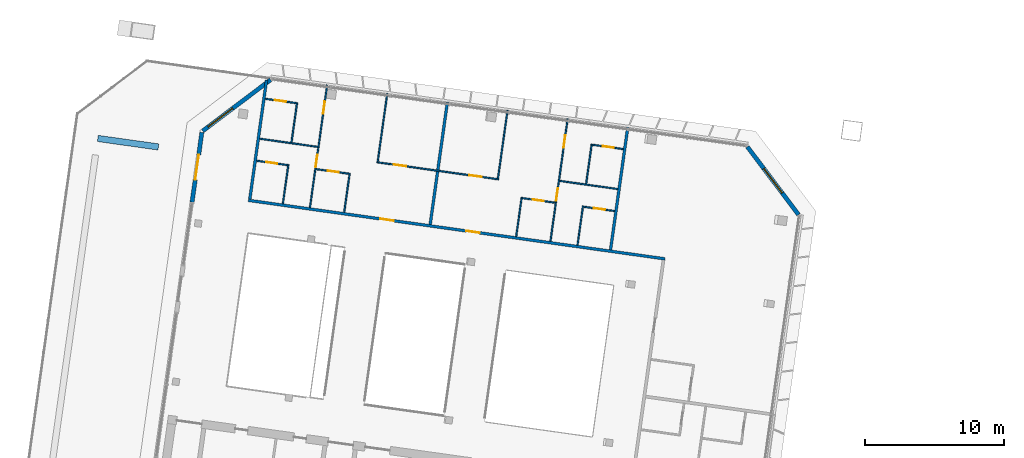
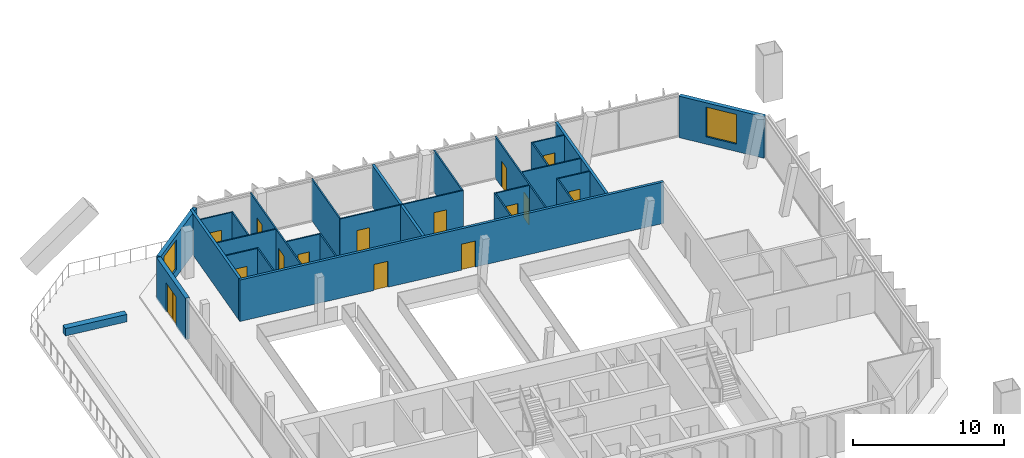
# One storey, part 12 of 19: 27 walls, 15 doors, 2 windows, 17 openings.
"""IFC4 building model written with IfcOpenShell, lengths in metres."""

from ifc_helpers import new_model, si_unit, direction, frame, frame_2d, origin, place, context, subcontext, project, spatial, rectangle, extrude, material, layer, layer_set, type_object, element, fill, save


model = new_model("IFC4")

# Units and contexts
model_context = context("Model", 3, precision=1e-05, world=origin(), true_north=direction((0.0, 1.0)))
body_context = subcontext(model_context, "Body", "Model", "MODEL_VIEW")
ifc_project = project(units=[si_unit("LENGTHUNIT", "METRE"), si_unit("AREAUNIT", "SQUARE_METRE"), si_unit("VOLUMEUNIT", "CUBIC_METRE"), si_unit("PLANEANGLEUNIT", "RADIAN"), si_unit("MASSUNIT", "GRAM", prefix="KILO")], contexts=[model_context])

# Site, building, storey
site_placement = place(None, origin())
site = spatial("IfcSite", under=ifc_project, at=site_placement, CompositionType="ELEMENT")
building_placement = place(site_placement, origin())
building = spatial("IfcBuilding", under=site, at=building_placement, Name="Mirante Cascada Hotel Towers", CompositionType="ELEMENT")
storey_placement = place(building_placement, frame((0.0, 0.0, 231.8)))
storey = spatial("IfcBuildingStorey", under=building, at=storey_placement, Name="L55", CompositionType="ELEMENT", Elevation=231.8)

# Wall, openings, doors
ifc_material_1 = material(Name="Fire-rated plasterboard on metal studs")
ifc_layer_1 = layer(ifc_material_1, 0.2)
ifc_layer_set_1 = layer_set([ifc_layer_1], Name="Compartment wall 200 EI 120")
wall_type_1 = type_object("IfcWallType", Name="Compartment wall 200 EI 120", PredefinedType="PARTITIONING", material=ifc_layer_set_1)
wall_1_placement = place(storey_placement, frame((-30.1927, 8.1254, 0.0), z_axis=(0.0, 0.0, 1.0), x_axis=(-0.9902681, 0.1391731, 0.0)))
wall_1 = element("IfcWall", 1, at=wall_1_placement, inside=storey, type_object=wall_type_1, Name="Wall 1-L55-08", PredefinedType="PARTITIONING", context=body_context, shape_type="SweptSolid", body=[
    extrude(rectangle(XDim=30.2681, YDim=0.2, at=frame_2d((15.134, 0.0))), origin(), (0.0, 0.0, 1.0), 3.35),
])
opening_1_placement = place(wall_1_placement, frame((13.4479, 0.0, 0.0)))
opening_1 = element("IfcOpeningElement", 2, at=opening_1_placement, cuts=wall_1, Name="Opening D1-L55-04", PredefinedType="OPENING", context=body_context, shape_type="SweptSolid", body=[
    extrude(rectangle(XDim=1.0, YDim=2.1, at=frame_2d((0.5, 1.05))), frame((0.0, 0.1, 0.0), z_axis=(0.0, -1.0, 0.0), x_axis=(1.0, 0.0, 0.0)), (0.0, 0.0, 1.0), 0.2),
])
opening_2_placement = place(wall_1_placement, frame((19.6925, 0.0, 0.0)))
opening_2 = element("IfcOpeningElement", 3, at=opening_2_placement, cuts=wall_1, Name="Opening D1-L55-05", PredefinedType="OPENING", context=body_context, shape_type="SweptSolid", body=[
    extrude(rectangle(XDim=1.0, YDim=2.1, at=frame_2d((0.5, 1.05))), frame((0.0, 0.1, 0.0), z_axis=(0.0, -1.0, 0.0), x_axis=(1.0, 0.0, 0.0)), (0.0, 0.0, 1.0), 0.2),
])
ifc_material_2 = material(Name="Fire-rated timber door leaf", Category="wood")
door_type_1 = type_object("IfcDoorType", Name="Entrance door DG1 1000x2100 EI 60", OperationType="SINGLE_SWING_LEFT", PredefinedType="DOOR", material=ifc_material_2)
door_1_placement = place(opening_1_placement, frame((1.0, 0.0, 0.0), z_axis=(0.0, 0.0, 1.0), x_axis=(-1.0, 0.0, 0.0)))
door_1 = element("IfcDoor", 4, at=door_1_placement, inside=storey, type_object=door_type_1, Name="Door D1-L55-04", OperationType="SINGLE_SWING_RIGHT", OverallHeight=2.1, OverallWidth=1.0, PredefinedType="DOOR", context=body_context, shape_type="SweptSolid", body=[
    extrude(rectangle(XDim=1.0, YDim=2.1, at=frame_2d((0.5, 1.05))), frame((0.0, 0.025, 0.0), z_axis=(0.0, -1.0, 0.0), x_axis=(1.0, 0.0, 0.0)), (0.0, 0.0, 1.0), 0.05),
])
fill(opening_1, door_1)
door_2_placement = place(opening_2_placement, frame((1.0, 0.0, 0.0), z_axis=(0.0, 0.0, 1.0), x_axis=(-1.0, 0.0, 0.0)))
door_2 = element("IfcDoor", 5, at=door_2_placement, inside=storey, type_object=door_type_1, Name="Door D1-L55-05", OperationType="SINGLE_SWING_RIGHT", OverallHeight=2.1, OverallWidth=1.0, PredefinedType="DOOR", context=body_context, shape_type="SweptSolid", body=[
    extrude(rectangle(XDim=1.0, YDim=2.1, at=frame_2d((0.5, 1.05))), frame((0.0, 0.025, 0.0), z_axis=(0.0, -1.0, 0.0), x_axis=(1.0, 0.0, 0.0)), (0.0, 0.0, 1.0), 0.05),
])
fill(opening_2, door_2)

# Walls
for number, where, z_axis, x_axis, name in (
    (6, (-34.1124, 8.7772, 0.0), (0.0, 0.0, 1.0), (0.1391684, 0.9902687, 0.0), "Wall 1-L55-24"),
    (7, (-47.0829, 10.6001, 0.0), (0.0, 0.0, 1.0), (0.1391794, 0.9902672, 0.0), "Wall 1-L55-30"),
):
    element("IfcWall", number, at=place(storey_placement, frame(where, z_axis=z_axis, x_axis=x_axis)), inside=storey, type_object=wall_type_1, Name=name, PredefinedType="PARTITIONING", context=body_context, shape_type="SweptSolid", body=[
        extrude(rectangle(XDim=8.9, YDim=0.2, at=frame_2d((4.45, 0.0))), origin(), (0.0, 0.0, 1.0), 3.35),
    ])
wall_2_placement = place(storey_placement, frame((-60.0533, 12.423, 0.0), z_axis=(0.0, 0.0, 1.0), x_axis=(0.1391698, 0.9902685, 0.0)))
element("IfcWall", 8, at=wall_2_placement, inside=storey, type_object=wall_type_1, Name="Wall 1-L55-36", PredefinedType="PARTITIONING", context=body_context, shape_type="SweptSolid", body=[
    extrude(rectangle(XDim=8.6319, YDim=0.2, at=frame_2d((4.316, 0.0))), origin(), (0.0, 0.0, 1.0), 3.35),
])

# Wall, opening, door
ifc_material_3 = material(Name="Plasterboard on metal studs")
ifc_layer_2 = layer(ifc_material_3, 0.1)
ifc_layer_set_2 = layer_set([ifc_layer_2], Name="Partition 100")
wall_type_2 = type_object("IfcWallType", Name="Partition 100", PredefinedType="PARTITIONING", material=ifc_layer_set_2)
wall_3_placement = place(storey_placement, frame((-36.0499, 11.877, 0.0), z_axis=(0.0, 0.0, 1.0), x_axis=(0.9902705, -0.1391561, 0.0)))
wall_3 = element("IfcWall", 9, at=wall_3_placement, inside=storey, type_object=wall_type_2, Name="Wall 1-L55-09", PredefinedType="PARTITIONING", context=body_context, shape_type="SweptSolid", body=[
    extrude(rectangle(XDim=2.25, YDim=0.1, at=frame_2d((1.125, 0.0))), origin(), (0.0, 0.0, 1.0), 3.35),
])
opening_3_placement = place(wall_3_placement, frame((0.75, 0.0, 0.0)))
opening_3 = element("IfcOpeningElement", 10, at=opening_3_placement, cuts=wall_3, Name="Opening D1-L55-06", PredefinedType="OPENING", context=body_context, shape_type="SweptSolid", body=[
    extrude(rectangle(XDim=0.8, YDim=2.1, at=frame_2d((0.4, 1.05))), frame((0.0, 0.05, 0.0), z_axis=(0.0, -1.0, 0.0), x_axis=(1.0, 0.0, 0.0)), (0.0, 0.0, 1.0), 0.1),
])
ifc_material_4 = material(Name="Timber door leaf", Category="wood")
door_type_2 = type_object("IfcDoorType", Name="Bathroom door DG4 800x2100", OperationType="SINGLE_SWING_LEFT", PredefinedType="DOOR", material=ifc_material_4)
door_3_placement = place(opening_3_placement, frame((0.8, 0.0, 0.0), z_axis=(0.0, 0.0, 1.0), x_axis=(-1.0, 0.0, 0.0)))
door_3 = element("IfcDoor", 11, at=door_3_placement, inside=storey, type_object=door_type_2, Name="Door D1-L55-06", OperationType="SINGLE_SWING_RIGHT", OverallHeight=2.1, OverallWidth=0.8, PredefinedType="DOOR", context=body_context, shape_type="SweptSolid", body=[
    extrude(rectangle(XDim=0.8, YDim=2.1, at=frame_2d((0.4, 1.05))), frame((0.0, 0.025, 0.0), z_axis=(0.0, -1.0, 0.0), x_axis=(1.0, 0.0, 0.0)), (0.0, 0.0, 1.0), 0.05),
])
fill(opening_3, door_3)

wall_4_placement = place(storey_placement, frame((-38.0957, 12.1645, 0.0), z_axis=(0.0, 0.0, 1.0), x_axis=(-0.9902645, 0.1391984, 0.0)))
wall_4 = element("IfcWall", 12, at=wall_4_placement, inside=storey, type_object=wall_type_2, Name="Wall 1-L55-10", PredefinedType="PARTITIONING", context=body_context, shape_type="SweptSolid", body=[
    extrude(rectangle(XDim=2.3872, YDim=0.1, at=frame_2d((1.1936, 0.0))), origin(), (0.0, 0.0, 1.0), 3.35),
])
opening_4_placement = place(wall_4_placement, frame((0.8373, 0.0, 0.0)))
opening_4 = element("IfcOpeningElement", 13, at=opening_4_placement, cuts=wall_4, Name="Opening D1-L55-07", PredefinedType="OPENING", context=body_context, shape_type="SweptSolid", body=[
    extrude(rectangle(XDim=0.8, YDim=2.1, at=frame_2d((0.4, 1.05))), frame((0.0, 0.05, 0.0), z_axis=(0.0, -1.0, 0.0), x_axis=(1.0, 0.0, 0.0)), (0.0, 0.0, 1.0), 0.1),
])
door_4_placement = place(opening_4_placement, frame((0.8, 0.0, 0.0), z_axis=(0.0, 0.0, 1.0), x_axis=(-1.0, 0.0, 0.0)))
door_4 = element("IfcDoor", 14, at=door_4_placement, inside=storey, type_object=door_type_2, Name="Door D1-L55-07", OperationType="SINGLE_SWING_RIGHT", OverallHeight=2.1, OverallWidth=0.8, PredefinedType="DOOR", context=body_context, shape_type="SweptSolid", body=[
    extrude(rectangle(XDim=0.8, YDim=2.1, at=frame_2d((0.4, 1.05))), frame((0.0, 0.025, 0.0), z_axis=(0.0, -1.0, 0.0), x_axis=(1.0, 0.0, 0.0)), (0.0, 0.0, 1.0), 0.05),
])
fill(opening_4, door_4)

wall_5_placement = place(storey_placement, frame((-55.2906, 14.5811, 0.0), z_axis=(0.0, 0.0, 1.0), x_axis=(0.9902711, -0.1391515, 0.0)))
wall_5 = element("IfcWall", 15, at=wall_5_placement, inside=storey, type_object=wall_type_2, Name="Wall 1-L55-11", PredefinedType="PARTITIONING", context=body_context, shape_type="SweptSolid", body=[
    extrude(rectangle(XDim=2.3873, YDim=0.1, at=frame_2d((1.1937, 0.0))), origin(), (0.0, 0.0, 1.0), 3.35),
])
opening_5_placement = place(wall_5_placement, frame((0.8373, 0.0, 0.0)))
opening_5 = element("IfcOpeningElement", 16, at=opening_5_placement, cuts=wall_5, Name="Opening D1-L55-08", PredefinedType="OPENING", context=body_context, shape_type="SweptSolid", body=[
    extrude(rectangle(XDim=0.8, YDim=2.1, at=frame_2d((0.4, 1.05))), frame((0.0, 0.05, 0.0), z_axis=(0.0, -1.0, 0.0), x_axis=(1.0, 0.0, 0.0)), (0.0, 0.0, 1.0), 0.1),
])
door_5_placement = place(opening_5_placement, origin())
door_5 = element("IfcDoor", 17, at=door_5_placement, inside=storey, type_object=door_type_2, Name="Door D1-L55-08", OperationType="SINGLE_SWING_LEFT", OverallHeight=2.1, OverallWidth=0.8, PredefinedType="DOOR", context=body_context, shape_type="SweptSolid", body=[
    extrude(rectangle(XDim=0.8, YDim=2.1, at=frame_2d((0.4, 1.05))), frame((0.0, 0.025, 0.0), z_axis=(0.0, -1.0, 0.0), x_axis=(1.0, 0.0, 0.0)), (0.0, 0.0, 1.0), 0.05),
])
fill(opening_5, door_5)

wall_6_placement = place(storey_placement, frame((-57.3365, 14.8687, 0.0), z_axis=(0.0, 0.0, 1.0), x_axis=(-0.9902705, 0.1391561, 0.0)))
wall_6 = element("IfcWall", 18, at=wall_6_placement, inside=storey, type_object=wall_type_2, Name="Wall 1-L55-12", PredefinedType="PARTITIONING", context=body_context, shape_type="SweptSolid", body=[
    extrude(rectangle(XDim=2.25, YDim=0.1, at=frame_2d((1.125, 0.0))), origin(), (0.0, 0.0, 1.0), 3.35),
])
opening_6_placement = place(wall_6_placement, frame((0.75, 0.0, 0.0)))
opening_6 = element("IfcOpeningElement", 19, at=opening_6_placement, cuts=wall_6, Name="Opening D1-L55-09", PredefinedType="OPENING", context=body_context, shape_type="SweptSolid", body=[
    extrude(rectangle(XDim=0.8, YDim=2.1, at=frame_2d((0.4, 1.05))), frame((0.0, 0.05, 0.0), z_axis=(0.0, -1.0, 0.0), x_axis=(1.0, 0.0, 0.0)), (0.0, 0.0, 1.0), 0.1),
])
door_6_placement = place(opening_6_placement, origin())
door_6 = element("IfcDoor", 20, at=door_6_placement, inside=storey, type_object=door_type_2, Name="Door D1-L55-09", OperationType="SINGLE_SWING_LEFT", OverallHeight=2.1, OverallWidth=0.8, PredefinedType="DOOR", context=body_context, shape_type="SweptSolid", body=[
    extrude(rectangle(XDim=0.8, YDim=2.1, at=frame_2d((0.4, 1.05))), frame((0.0, 0.025, 0.0), z_axis=(0.0, -1.0, 0.0), x_axis=(1.0, 0.0, 0.0)), (0.0, 0.0, 1.0), 0.05),
])
fill(opening_6, door_6)

# Wall, openings, doors
wall_7_placement = place(storey_placement, frame((-50.913, 15.0767, 0.0), z_axis=(0.0, 0.0, 1.0), x_axis=(0.9902689, -0.1391669, 0.0)))
wall_7 = element("IfcWall", 21, at=wall_7_placement, inside=storey, type_object=wall_type_2, Name="Wall 1-L55-13", PredefinedType="PARTITIONING", context=body_context, shape_type="SweptSolid", body=[
    extrude(rectangle(XDim=8.8318, YDim=0.1, at=frame_2d((4.4159, 0.0))), origin(), (0.0, 0.0, 1.0), 3.35),
])
opening_7_placement = place(wall_7_placement, frame((6.7159, 0.0, 0.0)))
opening_7 = element("IfcOpeningElement", 22, at=opening_7_placement, cuts=wall_7, Name="Opening D1-L55-10", PredefinedType="OPENING", context=body_context, shape_type="SweptSolid", body=[
    extrude(rectangle(XDim=0.9, YDim=2.1, at=frame_2d((0.45, 1.05))), frame((0.0, 0.05, 0.0), z_axis=(0.0, -1.0, 0.0), x_axis=(1.0, 0.0, 0.0)), (0.0, 0.0, 1.0), 0.1),
])
opening_8_placement = place(wall_7_placement, frame((1.2159, 0.0, 0.0)))
opening_8 = element("IfcOpeningElement", 23, at=opening_8_placement, cuts=wall_7, Name="Opening D1-L55-11", PredefinedType="OPENING", context=body_context, shape_type="SweptSolid", body=[
    extrude(rectangle(XDim=0.9, YDim=2.1, at=frame_2d((0.45, 1.05))), frame((0.0, 0.05, 0.0), z_axis=(0.0, -1.0, 0.0), x_axis=(1.0, 0.0, 0.0)), (0.0, 0.0, 1.0), 0.1),
])
ifc_material_5 = material(Name="Timber door leaf", Category="wood")
door_type_3 = type_object("IfcDoorType", Name="Room door DG3 900x2100", OperationType="SINGLE_SWING_LEFT", PredefinedType="DOOR", material=ifc_material_5)
door_7_placement = place(opening_7_placement, origin())
door_7 = element("IfcDoor", 24, at=door_7_placement, inside=storey, type_object=door_type_3, Name="Door D1-L55-10", OperationType="SINGLE_SWING_LEFT", OverallHeight=2.1, OverallWidth=0.9, PredefinedType="DOOR", context=body_context, shape_type="SweptSolid", body=[
    extrude(rectangle(XDim=0.9, YDim=2.1, at=frame_2d((0.45, 1.05))), frame((0.0, 0.025, 0.0), z_axis=(0.0, -1.0, 0.0), x_axis=(1.0, 0.0, 0.0)), (0.0, 0.0, 1.0), 0.05),
])
fill(opening_7, door_7)
door_8_placement = place(opening_8_placement, origin())
door_8 = element("IfcDoor", 25, at=door_8_placement, inside=storey, type_object=door_type_3, Name="Door D1-L55-11", OperationType="SINGLE_SWING_LEFT", OverallHeight=2.1, OverallWidth=0.9, PredefinedType="DOOR", context=body_context, shape_type="SweptSolid", body=[
    extrude(rectangle(XDim=0.9, YDim=2.1, at=frame_2d((0.45, 1.05))), frame((0.0, 0.025, 0.0), z_axis=(0.0, -1.0, 0.0), x_axis=(1.0, 0.0, 0.0)), (0.0, 0.0, 1.0), 0.05),
])
fill(opening_8, door_8)

# Walls
wall_8_placement = place(storey_placement, frame((-33.5991, 13.1483, 0.0), z_axis=(0.0, 0.0, 1.0), x_axis=(-0.9902662, 0.1391861, 0.0)))
element("IfcWall", 26, at=wall_8_placement, inside=storey, type_object=wall_type_2, Name="Wall 1-L55-14", PredefinedType="PARTITIONING", context=body_context, shape_type="SweptSolid", body=[
    extrude(rectangle(XDim=4.2159, YDim=0.1, at=frame_2d((2.108, 0.0))), origin(), (0.0, 0.0, 1.0), 3.35),
])
wall_9_placement = place(storey_placement, frame((-59.3419, 16.7662, 0.0), z_axis=(0.0, 0.0, 1.0), x_axis=(0.99027, -0.1391596, 0.0)))
element("IfcWall", 27, at=wall_9_placement, inside=storey, type_object=wall_type_2, Name="Wall 1-L55-15", PredefinedType="PARTITIONING", context=body_context, shape_type="SweptSolid", body=[
    extrude(rectangle(XDim=4.216, YDim=0.1, at=frame_2d((2.108, 0.0))), origin(), (0.0, 0.0, 1.0), 3.35),
])

# Wall, opening, door
wall_10_placement = place(storey_placement, frame((-33.1955, 16.0201, 0.0), z_axis=(0.0, 0.0, 1.0), x_axis=(-0.9902705, 0.1391561, 0.0)))
wall_10 = element("IfcWall", 28, at=wall_10_placement, inside=storey, type_object=wall_type_2, Name="Wall 1-L55-16", PredefinedType="PARTITIONING", context=body_context, shape_type="SweptSolid", body=[
    extrude(rectangle(XDim=2.25, YDim=0.1, at=frame_2d((1.125, 0.0))), origin(), (0.0, 0.0, 1.0), 3.35),
])
opening_9_placement = place(wall_10_placement, frame((0.7, 0.0, 0.0)))
opening_9 = element("IfcOpeningElement", 29, at=opening_9_placement, cuts=wall_10, Name="Opening D1-L55-12", PredefinedType="OPENING", context=body_context, shape_type="SweptSolid", body=[
    extrude(rectangle(XDim=0.8, YDim=2.1, at=frame_2d((0.4, 1.05))), frame((0.0, 0.05, 0.0), z_axis=(0.0, -1.0, 0.0), x_axis=(1.0, 0.0, 0.0)), (0.0, 0.0, 1.0), 0.1),
])
door_9_placement = place(opening_9_placement, origin())
door_9 = element("IfcDoor", 30, at=door_9_placement, inside=storey, type_object=door_type_2, Name="Door D1-L55-12", OperationType="SINGLE_SWING_LEFT", OverallHeight=2.1, OverallWidth=0.8, PredefinedType="DOOR", context=body_context, shape_type="SweptSolid", body=[
    extrude(rectangle(XDim=0.8, YDim=2.1, at=frame_2d((0.4, 1.05))), frame((0.0, 0.025, 0.0), z_axis=(0.0, -1.0, 0.0), x_axis=(1.0, 0.0, 0.0)), (0.0, 0.0, 1.0), 0.05),
])
fill(opening_9, door_9)

wall_11_placement = place(storey_placement, frame((-58.9383, 19.638, 0.0), z_axis=(0.0, 0.0, 1.0), x_axis=(0.9902705, -0.1391561, 0.0)))
wall_11 = element("IfcWall", 31, at=wall_11_placement, inside=storey, type_object=wall_type_2, Name="Wall 1-L55-17", PredefinedType="PARTITIONING", context=body_context, shape_type="SweptSolid", body=[
    extrude(rectangle(XDim=2.25, YDim=0.1, at=frame_2d((1.125, 0.0))), origin(), (0.0, 0.0, 1.0), 3.35),
])
opening_10_placement = place(wall_11_placement, frame((0.7, 0.0, 0.0)))
opening_10 = element("IfcOpeningElement", 32, at=opening_10_placement, cuts=wall_11, Name="Opening D1-L55-13", PredefinedType="OPENING", context=body_context, shape_type="SweptSolid", body=[
    extrude(rectangle(XDim=0.8, YDim=2.1, at=frame_2d((0.4, 1.05))), frame((0.0, 0.05, 0.0), z_axis=(0.0, -1.0, 0.0), x_axis=(1.0, 0.0, 0.0)), (0.0, 0.0, 1.0), 0.1),
])
door_10_placement = place(opening_10_placement, frame((0.8, 0.0, 0.0), z_axis=(0.0, 0.0, 1.0), x_axis=(-1.0, 0.0, 0.0)))
door_10 = element("IfcDoor", 33, at=door_10_placement, inside=storey, type_object=door_type_2, Name="Door D1-L55-13", OperationType="SINGLE_SWING_RIGHT", OverallHeight=2.1, OverallWidth=0.8, PredefinedType="DOOR", context=body_context, shape_type="SweptSolid", body=[
    extrude(rectangle(XDim=0.8, YDim=2.1, at=frame_2d((0.4, 1.05))), frame((0.0, 0.025, 0.0), z_axis=(0.0, -1.0, 0.0), x_axis=(1.0, 0.0, 0.0)), (0.0, 0.0, 1.0), 0.05),
])
fill(opening_10, door_10)

# Walls
wall_12_placement = place(storey_placement, frame((-36.0924, 11.9335, 0.0), z_axis=(0.0, 0.0, 1.0), x_axis=(-0.1391909, -0.9902656, 0.0)))
element("IfcWall", 34, at=wall_12_placement, inside=storey, type_object=wall_type_2, Name="Wall 1-L55-25", PredefinedType="PARTITIONING", context=body_context, shape_type="SweptSolid", body=[
    extrude(rectangle(XDim=2.85, YDim=0.1, at=frame_2d((1.425, 0.0))), origin(), (0.0, 0.0, 1.0), 3.35),
])
wall_13_placement = place(storey_placement, frame((-35.8697, 13.5179, 0.0), z_axis=(0.0, 0.0, 1.0), x_axis=(0.1391714, 0.9902683, 0.0)))
element("IfcWall", 35, at=wall_13_placement, inside=storey, type_object=wall_type_2, Name="Wall 1-L55-26", PredefinedType="PARTITIONING", context=body_context, shape_type="SweptSolid", body=[
    extrude(rectangle(XDim=2.9, YDim=0.1, at=frame_2d((1.45, 0.0))), origin(), (0.0, 0.0, 1.0), 3.35),
])

# Wall, openings, doors
wall_14_placement = place(storey_placement, frame((-37.1972, 18.1982, 0.0), z_axis=(0.0, 0.0, 1.0), x_axis=(-0.1391684, -0.9902687, 0.0)))
wall_14 = element("IfcWall", 36, at=wall_14_placement, inside=storey, type_object=wall_type_2, Name="Wall 1-L55-27", PredefinedType="PARTITIONING", context=body_context, shape_type="SweptSolid", body=[
    extrude(rectangle(XDim=8.9, YDim=0.1, at=frame_2d((4.45, 0.0))), origin(), (0.0, 0.0, 1.0), 3.35),
])
opening_11_placement = place(wall_14_placement, frame((5.05, 0.0, 0.0)))
opening_11 = element("IfcOpeningElement", 37, at=opening_11_placement, cuts=wall_14, Name="Opening D1-L55-19", PredefinedType="OPENING", context=body_context, shape_type="SweptSolid", body=[
    extrude(rectangle(XDim=0.9, YDim=2.1, at=frame_2d((0.45, 1.05))), frame((0.0, 0.05, 0.0), z_axis=(0.0, -1.0, 0.0), x_axis=(1.0, 0.0, 0.0)), (0.0, 0.0, 1.0), 0.1),
])
opening_12_placement = place(wall_14_placement, frame((1.2, 0.0, 0.0)))
opening_12 = element("IfcOpeningElement", 38, at=opening_12_placement, cuts=wall_14, Name="Opening D1-L55-20", PredefinedType="OPENING", context=body_context, shape_type="SweptSolid", body=[
    extrude(rectangle(XDim=0.9, YDim=2.1, at=frame_2d((0.45, 1.05))), frame((0.0, 0.05, 0.0), z_axis=(0.0, -1.0, 0.0), x_axis=(1.0, 0.0, 0.0)), (0.0, 0.0, 1.0), 0.1),
])
door_11_placement = place(opening_11_placement, frame((0.9, 0.0, 0.0), z_axis=(0.0, 0.0, 1.0), x_axis=(-1.0, 0.0, 0.0)))
door_11 = element("IfcDoor", 39, at=door_11_placement, inside=storey, type_object=door_type_3, Name="Door D1-L55-19", OperationType="SINGLE_SWING_RIGHT", OverallHeight=2.1, OverallWidth=0.9, PredefinedType="DOOR", context=body_context, shape_type="SweptSolid", body=[
    extrude(rectangle(XDim=0.9, YDim=2.1, at=frame_2d((0.45, 1.05))), frame((0.0, 0.025, 0.0), z_axis=(0.0, -1.0, 0.0), x_axis=(1.0, 0.0, 0.0)), (0.0, 0.0, 1.0), 0.05),
])
fill(opening_11, door_11)
door_12_placement = place(opening_12_placement, frame((0.9, 0.0, 0.0), z_axis=(0.0, 0.0, 1.0), x_axis=(-1.0, 0.0, 0.0)))
door_12 = element("IfcDoor", 40, at=door_12_placement, inside=storey, type_object=door_type_3, Name="Door D1-L55-20", OperationType="SINGLE_SWING_RIGHT", OverallHeight=2.1, OverallWidth=0.9, PredefinedType="DOOR", context=body_context, shape_type="SweptSolid", body=[
    extrude(rectangle(XDim=0.9, YDim=2.1, at=frame_2d((0.45, 1.05))), frame((0.0, 0.025, 0.0), z_axis=(0.0, -1.0, 0.0), x_axis=(1.0, 0.0, 0.0)), (0.0, 0.0, 1.0), 0.05),
])
fill(opening_12, door_12)

# Walls
wall_15_placement = place(storey_placement, frame((-40.8989, 9.731, 0.0), z_axis=(0.0, 0.0, 1.0), x_axis=(0.1391564, 0.9902704, 0.0)))
element("IfcWall", 41, at=wall_15_placement, inside=storey, type_object=wall_type_2, Name="Wall 1-L55-28", PredefinedType="PARTITIONING", context=body_context, shape_type="SweptSolid", body=[
    extrude(rectangle(XDim=2.85, YDim=0.1, at=frame_2d((1.425, 0.0))), origin(), (0.0, 0.0, 1.0), 3.35),
])
wall_16_placement = place(storey_placement, frame((-41.5207, 18.8059, 0.0), z_axis=(0.0, 0.0, 1.0), x_axis=(-0.1391697, -0.9902685, 0.0)))
element("IfcWall", 42, at=wall_16_placement, inside=storey, type_object=wall_type_2, Name="Wall 1-L55-29", PredefinedType="PARTITIONING", context=body_context, shape_type="SweptSolid", body=[
    extrude(rectangle(XDim=4.9501, YDim=0.1, at=frame_2d((2.475, 0.0))), origin(), (0.0, 0.0, 1.0), 3.35),
])
wall_17_placement = place(storey_placement, frame((-50.1676, 20.0211, 0.0), z_axis=(0.0, 0.0, 1.0), x_axis=(-0.1391725, -0.9902682, 0.0)))
element("IfcWall", 43, at=wall_17_placement, inside=storey, type_object=wall_type_2, Name="Wall 1-L55-31", PredefinedType="PARTITIONING", context=body_context, shape_type="SweptSolid", body=[
    extrude(rectangle(XDim=4.95, YDim=0.1, at=frame_2d((2.475, 0.0))), origin(), (0.0, 0.0, 1.0), 3.35),
])
wall_18_placement = place(storey_placement, frame((-53.2667, 11.4692, 0.0), z_axis=(0.0, 0.0, 1.0), x_axis=(0.1391957, 0.9902649, 0.0)))
element("IfcWall", 44, at=wall_18_placement, inside=storey, type_object=wall_type_2, Name="Wall 1-L55-32", PredefinedType="PARTITIONING", context=body_context, shape_type="SweptSolid", body=[
    extrude(rectangle(XDim=2.8499, YDim=0.1, at=frame_2d((1.425, 0.0))), origin(), (0.0, 0.0, 1.0), 3.35),
])

# Wall, openings, doors
wall_19_placement = place(storey_placement, frame((-54.4911, 20.6287, 0.0), z_axis=(0.0, 0.0, 1.0), x_axis=(-0.1391794, -0.9902672, 0.0)))
wall_19 = element("IfcWall", 45, at=wall_19_placement, inside=storey, type_object=wall_type_2, Name="Wall 1-L55-33", PredefinedType="PARTITIONING", context=body_context, shape_type="SweptSolid", body=[
    extrude(rectangle(XDim=8.9, YDim=0.1, at=frame_2d((4.45, 0.0))), origin(), (0.0, 0.0, 1.0), 3.35),
])
opening_13_placement = place(wall_19_placement, frame((5.05, 0.0, 0.0)))
opening_13 = element("IfcOpeningElement", 46, at=opening_13_placement, cuts=wall_19, Name="Opening D1-L55-21", PredefinedType="OPENING", context=body_context, shape_type="SweptSolid", body=[
    extrude(rectangle(XDim=0.9, YDim=2.1, at=frame_2d((0.45, 1.05))), frame((0.0, 0.05, 0.0), z_axis=(0.0, -1.0, 0.0), x_axis=(1.0, 0.0, 0.0)), (0.0, 0.0, 1.0), 0.1),
])
opening_14_placement = place(wall_19_placement, frame((1.2, 0.0, 0.0)))
opening_14 = element("IfcOpeningElement", 47, at=opening_14_placement, cuts=wall_19, Name="Opening D1-L55-22", PredefinedType="OPENING", context=body_context, shape_type="SweptSolid", body=[
    extrude(rectangle(XDim=0.9, YDim=2.1, at=frame_2d((0.45, 1.05))), frame((0.0, 0.05, 0.0), z_axis=(0.0, -1.0, 0.0), x_axis=(1.0, 0.0, 0.0)), (0.0, 0.0, 1.0), 0.1),
])
door_13_placement = place(opening_13_placement, origin())
door_13 = element("IfcDoor", 48, at=door_13_placement, inside=storey, type_object=door_type_3, Name="Door D1-L55-21", OperationType="SINGLE_SWING_LEFT", OverallHeight=2.1, OverallWidth=0.9, PredefinedType="DOOR", context=body_context, shape_type="SweptSolid", body=[
    extrude(rectangle(XDim=0.9, YDim=2.1, at=frame_2d((0.45, 1.05))), frame((0.0, 0.025, 0.0), z_axis=(0.0, -1.0, 0.0), x_axis=(1.0, 0.0, 0.0)), (0.0, 0.0, 1.0), 0.05),
])
fill(opening_13, door_13)
door_14_placement = place(opening_14_placement, origin())
door_14 = element("IfcDoor", 49, at=door_14_placement, inside=storey, type_object=door_type_3, Name="Door D1-L55-22", OperationType="SINGLE_SWING_LEFT", OverallHeight=2.1, OverallWidth=0.9, PredefinedType="DOOR", context=body_context, shape_type="SweptSolid", body=[
    extrude(rectangle(XDim=0.9, YDim=2.1, at=frame_2d((0.45, 1.05))), frame((0.0, 0.025, 0.0), z_axis=(0.0, -1.0, 0.0), x_axis=(1.0, 0.0, 0.0)), (0.0, 0.0, 1.0), 0.05),
])
fill(opening_14, door_14)

# Walls
wall_20_placement = place(storey_placement, frame((-57.6766, 12.089, 0.0), z_axis=(0.0, 0.0, 1.0), x_axis=(0.1391613, 0.9902697, 0.0)))
element("IfcWall", 50, at=wall_20_placement, inside=storey, type_object=wall_type_2, Name="Wall 1-L55-34", PredefinedType="PARTITIONING", context=body_context, shape_type="SweptSolid", body=[
    extrude(rectangle(XDim=2.8499, YDim=0.1, at=frame_2d((1.425, 0.0))), origin(), (0.0, 0.0, 1.0), 3.35),
])
wall_21_placement = place(storey_placement, frame((-56.6537, 19.3674, 0.0), z_axis=(0.0, 0.0, 1.0), x_axis=(-0.1391714, -0.9902683, 0.0)))
element("IfcWall", 51, at=wall_21_placement, inside=storey, type_object=wall_type_2, Name="Wall 1-L55-35", PredefinedType="PARTITIONING", context=body_context, shape_type="SweptSolid", body=[
    extrude(rectangle(XDim=2.9, YDim=0.1, at=frame_2d((1.45, 0.0))), origin(), (0.0, 0.0, 1.0), 3.35),
])
ifc_material_6 = material(Name="Precast concrete C40/50", Category="concrete")
ifc_layer_3 = layer(ifc_material_6, 0.45)
ifc_layer_set_3 = layer_set([ifc_layer_3], Name="Planter wall 450 concrete C40/50")
wall_type_3 = type_object("IfcWallType", Name="Planter wall 450 concrete C40/50", PredefinedType="PARAPET", material=ifc_layer_set_3)
wall_22_placement = place(storey_placement, frame((-66.6271, 16.1744, 0.0), z_axis=(0.0, 0.0, 1.0), x_axis=(-0.9902696, 0.1391619, 0.0)))
element("IfcWall", 52, at=wall_22_placement, inside=storey, type_object=wall_type_3, Name="PLANTER T1 L55 bed 2", PredefinedType="PARAPET", context=body_context, shape_type="SweptSolid", body=[
    extrude(rectangle(XDim=4.3999, YDim=0.45, at=frame_2d((2.2, 0.0))), origin(), (0.0, 0.0, 1.0), 0.6),
])

# Wall, opening, window
ifc_material_7 = material(Name="Precast concrete C40/50", Category="concrete")
ifc_layer_4 = layer(ifc_material_7, 0.3)
ifc_layer_set_4 = layer_set([ifc_layer_4], Name="Precast concrete C40/50 cladding wall 300")
wall_type_4 = type_object("IfcWallType", Name="Precast concrete C40/50 cladding wall 300", PredefinedType="STANDARD", material=ifc_layer_set_4)
wall_23_placement = place(storey_placement, frame((-63.4422, 17.324, 0.0), z_axis=(0.0, 0.0, 1.0), x_axis=(0.7986362, 0.6018141, 0.0)))
wall_23 = element("IfcWall", 53, at=wall_23_placement, inside=storey, type_object=wall_type_4, Name="Corner cladding wall T1 L55 outer front", PredefinedType="STANDARD", context=body_context, shape_type="SweptSolid", body=[
    extrude(rectangle(XDim=6.1157, YDim=0.3, at=frame_2d((3.0578, 0.0))), origin(), (0.0, 0.0, 1.0), 3.35),
])
opening_15_placement = place(wall_23_placement, frame((0.4975, 0.0, 0.6)))
opening_15 = element("IfcOpeningElement", 54, at=opening_15_placement, cuts=wall_23, Name="Opening W1-55-04", PredefinedType="OPENING", context=body_context, shape_type="SweptSolid", body=[
    extrude(rectangle(XDim=2.2, YDim=2.4, at=frame_2d((1.1, 1.2))), frame((0.0, 0.15, 0.0), z_axis=(0.0, -1.0, 0.0), x_axis=(1.0, 0.0, 0.0)), (0.0, 0.0, 1.0), 0.3),
])
ifc_material_8 = material(Name="Aluminium frame with clear double glazing", Category="aluminium")
window_type = type_object("IfcWindowType", Name="Corner suite window 2200x2400", PartitioningType="DOUBLE_PANEL_VERTICAL", PredefinedType="WINDOW", material=ifc_material_8)
window_1_placement = place(opening_15_placement, origin())
window_1 = element("IfcWindow", 55, at=window_1_placement, inside=storey, type_object=window_type, Name="Window W1-55-04", OverallHeight=2.4, OverallWidth=2.2, PartitioningType="SINGLE_PANEL", PredefinedType="WINDOW", context=body_context, shape_type="SweptSolid", body=[
    extrude(rectangle(XDim=2.2, YDim=2.4, at=frame_2d((1.1, 1.2))), frame((0.0, 0.03, 0.0), z_axis=(0.0, -1.0, 0.0), x_axis=(1.0, 0.0, 0.0)), (0.0, 0.0, 1.0), 0.06),
])
fill(opening_15, window_1)

wall_24_placement = place(storey_placement, frame((-24.2719, 16.1859, 0.0), z_axis=(0.0, 0.0, 1.0), x_axis=(0.6018141, -0.7986362, 0.0)))
wall_24 = element("IfcWall", 56, at=wall_24_placement, inside=storey, type_object=wall_type_4, Name="Corner cladding wall T1 L55 front inner", PredefinedType="STANDARD", context=body_context, shape_type="SweptSolid", body=[
    extrude(rectangle(XDim=6.1157, YDim=0.3, at=frame_2d((3.0578, 0.0))), origin(), (0.0, 0.0, 1.0), 3.35),
])
opening_16_placement = place(wall_24_placement, frame((1.9578, 0.0, 0.6)))
opening_16 = element("IfcOpeningElement", 57, at=opening_16_placement, cuts=wall_24, Name="Opening W1-55-05", PredefinedType="OPENING", context=body_context, shape_type="SweptSolid", body=[
    extrude(rectangle(XDim=2.2, YDim=2.4, at=frame_2d((1.1, 1.2))), frame((0.0, 0.15, 0.0), z_axis=(0.0, -1.0, 0.0), x_axis=(1.0, 0.0, 0.0)), (0.0, 0.0, 1.0), 0.3),
])
window_2_placement = place(opening_16_placement, origin())
window_2 = element("IfcWindow", 58, at=window_2_placement, inside=storey, type_object=window_type, Name="Window W1-55-05", OverallHeight=2.4, OverallWidth=2.2, PartitioningType="SINGLE_PANEL", PredefinedType="WINDOW", context=body_context, shape_type="SweptSolid", body=[
    extrude(rectangle(XDim=2.2, YDim=2.4, at=frame_2d((1.1, 1.2))), frame((0.0, 0.03, 0.0), z_axis=(0.0, -1.0, 0.0), x_axis=(1.0, 0.0, 0.0)), (0.0, 0.0, 1.0), 0.06),
])
fill(opening_16, window_2)

# Wall, opening, door
ifc_material_9 = material(Name="Precast concrete C40/50", Category="concrete")
ifc_layer_5 = layer(ifc_material_9, 0.3)
ifc_layer_set_5 = layer_set([ifc_layer_5], Name="Precast concrete C40/50 terrace wall 300")
wall_type_5 = type_object("IfcWallType", Name="Precast concrete C40/50 terrace wall 300", PredefinedType="STANDARD", material=ifc_layer_set_5)
wall_25_placement = place(storey_placement, frame((-64.2068, 12.1988, 0.0), z_axis=(0.0, 0.0, 1.0), x_axis=(0.1391676, 0.9902688, 0.0)))
wall_25 = element("IfcWall", 59, at=wall_25_placement, inside=storey, type_object=wall_type_5, Name="Lounge door pier wall T1 L55 4", PredefinedType="STANDARD", context=body_context, shape_type="SweptSolid", body=[
    extrude(rectangle(XDim=5.0759, YDim=0.3, at=frame_2d((2.538, 0.0))), origin(), (0.0, 0.0, 1.0), 3.35),
])
opening_17_placement = place(wall_25_placement, frame((1.6379, 0.0, 0.0)))
opening_17 = element("IfcOpeningElement", 60, at=opening_17_placement, cuts=wall_25, Name="Opening D1-55-92", PredefinedType="OPENING", context=body_context, shape_type="SweptSolid", body=[
    extrude(rectangle(XDim=1.8, YDim=2.4, at=frame_2d((0.9, 1.2))), frame((0.0, 0.15, 0.0), z_axis=(0.0, -1.0, 0.0), x_axis=(1.0, 0.0, 0.0)), (0.0, 0.0, 1.0), 0.3),
])
ifc_material_10 = material(Name="Aluminium frame with clear laminated glazing", Category="aluminium")
door_type_4 = type_object("IfcDoorType", Name="Terrace double door 1800x2400", OperationType="DOUBLE_DOOR_SINGLE_SWING", PredefinedType="DOOR", material=ifc_material_10)
door_15_placement = place(opening_17_placement, origin())
door_15 = element("IfcDoor", 61, at=door_15_placement, inside=storey, type_object=door_type_4, Name="Terrace door D1-55-92", OperationType="DOUBLE_DOOR_SINGLE_SWING", OverallHeight=2.4, OverallWidth=1.8, PredefinedType="DOOR", context=body_context, shape_type="SweptSolid", body=[
    extrude(rectangle(XDim=0.895, YDim=2.4, at=frame_2d((0.4475, 1.2))), frame((0.0, 0.025, 0.0), z_axis=(0.0, -1.0, 0.0), x_axis=(1.0, 0.0, 0.0)), (0.0, 0.0, 1.0), 0.05),
    extrude(rectangle(XDim=0.895, YDim=2.4, at=frame_2d((1.3525, 1.2))), frame((0.0, 0.025, 0.0), z_axis=(0.0, -1.0, 0.0), x_axis=(1.0, 0.0, 0.0)), (0.0, 0.0, 1.0), 0.05),
])
fill(opening_17, door_15)

save(model, "model.ifc")
